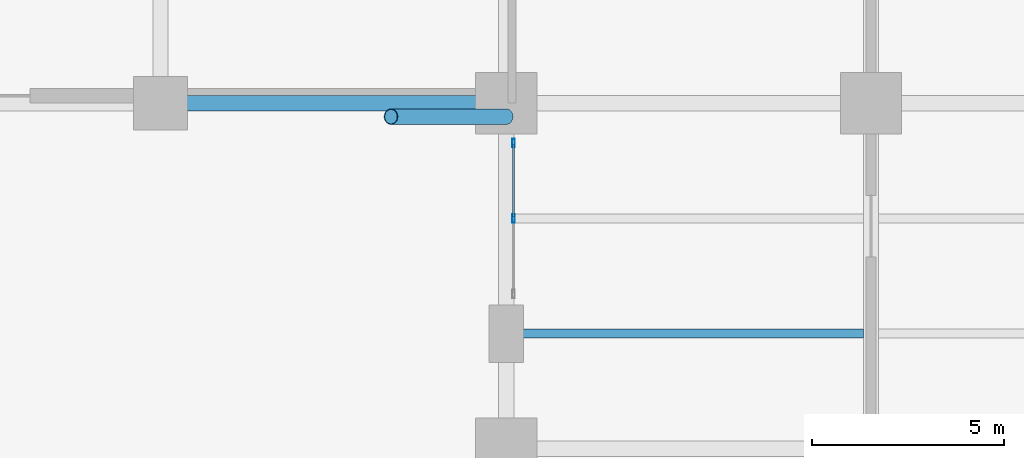
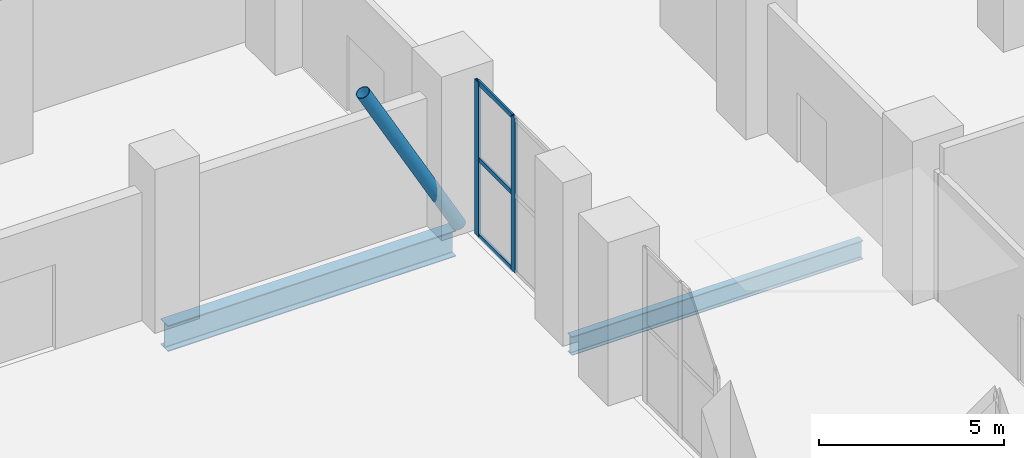
# One storey, part 4 of 17: 6 members, 2 beams, 1 element without a shape of its own.
"""IFC4 building model written with IfcOpenShell, lengths in metres."""

from ifc_helpers import new_model, si_unit, direction, frame, origin, origin_2d, place, context, subcontext, project, spatial, hollow_rectangle, hollow_circle, i_section, extrude, material, layer, layer_set, material_profile, profile_set, type_object, element, aggregate, save


model = new_model("IFC4")

# Units and contexts
model_context = context("Model", 3, precision=1e-05, world=origin(), true_north=direction((0.0, 1.0)))
body_context = subcontext(model_context, "Body", "Model", "MODEL_VIEW")
ifc_project = project(units=[si_unit("LENGTHUNIT", "METRE"), si_unit("AREAUNIT", "SQUARE_METRE"), si_unit("VOLUMEUNIT", "CUBIC_METRE"), si_unit("PLANEANGLEUNIT", "RADIAN"), si_unit("MASSUNIT", "GRAM", prefix="KILO")], contexts=[model_context])

# Site, building, storey
site_placement = place(None, origin())
site = spatial("IfcSite", under=ifc_project, at=site_placement, CompositionType="ELEMENT")
building_placement = place(site_placement, origin())
building = spatial("IfcBuilding", under=site, at=building_placement, Name="Mawjdan Bourse Tower", CompositionType="ELEMENT")
storey_placement = place(building_placement, origin())
storey = spatial("IfcBuildingStorey", under=building, at=storey_placement, Name="L00", CompositionType="ELEMENT", Elevation=0.0)

# Member
ifc_material_1 = material(Name="Structural Steel S460", Category="steel")
ifc_material_profile_1 = material_profile(ifc_material_1, hollow_circle(Radius=0.203125, WallThickness=0.01611328125, at=origin_2d()), Name="CHS406X16")
ifc_profile_set_1 = profile_set([ifc_material_profile_1], Name="Structural Steel S460")
member_type_1 = type_object("IfcMemberType", Name="ARC-CHS406X16", PredefinedType="USERDEFINED", material=ifc_profile_set_1)
member_1_placement = place(storey_placement, frame((51.0, 29.64990234375, 0.0), z_axis=(-0.485649642493, 0.0, 0.87415354758), x_axis=(0.0, -1.0, 0.0)))
element("IfcMember", 1, at=member_1_placement, inside=storey, type_object=member_type_1, Name="L00 Giant Arch Structural Rib NORTH 2", ObjectType="ARCH RIB", PredefinedType="USERDEFINED", context=body_context, shape_type="SweptSolid", body=[
    extrude(hollow_circle(Radius=0.203125, WallThickness=0.01611328125, at=origin_2d()), origin(), (0.0, 0.0, 1.0), 6.17724609375),
])

# Beams
ifc_material_2 = material(Name="Structural Steel S355", Category="steel")
ifc_material_profile_2 = material_profile(ifc_material_2, i_section(OverallWidth=0.39892578125, OverallDepth=0.85595703125, WebThickness=0.018310546875, FlangeThickness=0.029296875, FilletRadius=0.0234375, at=origin_2d()), Name="W33X201")
ifc_profile_set_2 = profile_set([ifc_material_profile_2], Name="Structural Steel S355")
beam_type_1 = type_object("IfcBeamType", Name="GRD-W33X201", PredefinedType="BEAM", material=ifc_profile_set_2)
beam_1_placement = place(storey_placement, frame((42.0, 30.0, -0.72802734375), z_axis=(1.0, 0.0, 0.0), x_axis=(0.0, 1.0, 0.0)))
element("IfcBeam", 2, at=beam_1_placement, inside=storey, type_object=beam_type_1, Name="L00 Podium Tie Girder 061", PredefinedType="BEAM", context=body_context, shape_type="SweptSolid", body=[
    extrude(i_section(OverallWidth=0.39892578125, OverallDepth=0.85595703125, WebThickness=0.018310546875, FlangeThickness=0.029296875, FilletRadius=0.0234375, at=origin_2d()), origin(), (0.0, 0.0, 1.0), 9.0),
])
ifc_material_profile_3 = material_profile(ifc_material_2, i_section(OverallWidth=0.22998046875, OverallDepth=0.616943359375, WebThickness=0.01318359375, FlangeThickness=0.022216796875, FilletRadius=0.017822265625, at=origin_2d()), Name="W24X94")
ifc_profile_set_3 = profile_set([ifc_material_profile_3], Name="Structural Steel S355")
beam_type_2 = type_object("IfcBeamType", Name="JST-W24X94", PredefinedType="JOIST", material=ifc_profile_set_3)
beam_2_placement = place(storey_placement, frame((51.197509765625, 24.0, -0.6083984375), z_axis=(1.0, 0.0, 0.0), x_axis=(0.0, 1.0, 0.0)))
element("IfcBeam", 3, at=beam_2_placement, inside=storey, type_object=beam_type_2, Name="L00 Composite Floor Joist 095", PredefinedType="JOIST", context=body_context, shape_type="SweptSolid", body=[
    extrude(i_section(OverallWidth=0.22998046875, OverallDepth=0.616943359375, WebThickness=0.01318359375, FlangeThickness=0.022216796875, FilletRadius=0.017822265625, at=origin_2d()), origin(), (0.0, 0.0, 1.0), 9.10498046875),
])

# Curtain wall, members
ifc_material_3 = material(Name="Thermally Broken Aluminium and Solar Glass", Category="aluminium")
ifc_layer = layer(ifc_material_3, 0.219970703125)
ifc_layer_set = layer_set([ifc_layer], Name="Thermally Broken Aluminium and Solar Glass")
curtain_wall_type = type_object("IfcCurtainWallType", Name="CW-ARCH", PredefinedType="USERDEFINED", material=ifc_layer_set)
curtain_wall_placement = place(storey_placement, origin())
curtain_wall = element("IfcCurtainWall", 4, at=curtain_wall_placement, inside=storey, type_object=curtain_wall_type, Name="L00 Giant Arch East Glazed Wall North", ObjectType="ARCHWAY GLAZED CURTAIN WALL", PredefinedType="USERDEFINED")
ifc_material_4 = material(Name="Thermally Broken Anodised Aluminium", Category="aluminium")
ifc_material_profile_4 = material_profile(ifc_material_4, hollow_rectangle(XDim=0.074951171875, YDim=0.219970703125, WallThickness=0.0048828125, at=origin_2d()), Name="ALU-MUL-220X75")
ifc_profile_set_4 = profile_set([ifc_material_profile_4], Name="Thermally Broken Anodised Aluminium")
member_type_2 = type_object("IfcMemberType", Name="MUL-ALU-MUL-220X75", PredefinedType="MULLION", material=ifc_profile_set_4)
member_2_placement = place(storey_placement, frame((51.18994140625, 27.0, 0.0), z_axis=(0.0, 0.0, 1.0), x_axis=(-1.0, 0.0, 0.0)))
member_2 = element("IfcMember", 5, at=member_2_placement, type_object=member_type_2, Name="CW-ARCH-L00-ARCH-E2 mullion 2", PredefinedType="MULLION", context=body_context, shape_type="SweptSolid", body=[
    extrude(hollow_rectangle(XDim=0.074951171875, YDim=0.219970703125, WallThickness=0.0048828125, at=origin_2d()), origin(), (0.0, 0.0, 1.0), 5.10009765625),
])
member_3_placement = place(storey_placement, frame((51.18994140625, 28.96240234375, 0.0), z_axis=(0.0, 0.0, 1.0), x_axis=(-1.0, 0.0, 0.0)))
member_3 = element("IfcMember", 6, at=member_3_placement, type_object=member_type_2, Name="CW-ARCH-L00-ARCH-E2 mullion 3", PredefinedType="MULLION", context=body_context, shape_type="SweptSolid", body=[
    extrude(hollow_rectangle(XDim=0.074951171875, YDim=0.219970703125, WallThickness=0.0048828125, at=origin_2d()), origin(), (0.0, 0.0, 1.0), 5.10009765625),
])
ifc_material_profile_5 = material_profile(ifc_material_4, hollow_rectangle(XDim=0.06005859375, YDim=0.155029296875, WallThickness=0.00390625, at=origin_2d()), Name="ALU-TRN-155X60")
ifc_profile_set_5 = profile_set([ifc_material_profile_5], Name="Thermally Broken Anodised Aluminium")
member_type_3 = type_object("IfcMemberType", Name="TRN-ALU-TRN-155X60", PredefinedType="USERDEFINED", material=ifc_profile_set_5)
member_4_placement = place(storey_placement, frame((51.18994140625, 27.03759765625, 0.030029296875), z_axis=(0.0, 1.0, 0.0), x_axis=(-1.0, 0.0, 0.0)))
member_4 = element("IfcMember", 7, at=member_4_placement, type_object=member_type_3, Name="CW-ARCH-L00-ARCH-E2 transom 2.1", ObjectType="TRANSOM", PredefinedType="USERDEFINED", context=body_context, shape_type="SweptSolid", body=[
    extrude(hollow_rectangle(XDim=0.06005859375, YDim=0.155029296875, WallThickness=0.00390625, at=origin_2d()), origin(), (0.0, 0.0, 1.0), 1.887451171875),
])
member_5_placement = place(storey_placement, frame((51.18994140625, 27.03759765625, 2.550048828125), z_axis=(0.0, 1.0, 0.0), x_axis=(-1.0, 0.0, 0.0)))
member_5 = element("IfcMember", 8, at=member_5_placement, type_object=member_type_3, Name="CW-ARCH-L00-ARCH-E2 transom 2.2", ObjectType="TRANSOM", PredefinedType="USERDEFINED", context=body_context, shape_type="SweptSolid", body=[
    extrude(hollow_rectangle(XDim=0.06005859375, YDim=0.155029296875, WallThickness=0.00390625, at=origin_2d()), origin(), (0.0, 0.0, 1.0), 1.887451171875),
])
member_6_placement = place(storey_placement, frame((51.18994140625, 27.03759765625, 5.070068359375), z_axis=(0.0, 1.0, 0.0), x_axis=(-1.0, 0.0, 0.0)))
member_6 = element("IfcMember", 9, at=member_6_placement, type_object=member_type_3, Name="CW-ARCH-L00-ARCH-E2 transom 2.3", ObjectType="TRANSOM", PredefinedType="USERDEFINED", context=body_context, shape_type="SweptSolid", body=[
    extrude(hollow_rectangle(XDim=0.06005859375, YDim=0.155029296875, WallThickness=0.00390625, at=origin_2d()), origin(), (0.0, 0.0, 1.0), 1.887451171875),
])
aggregate(curtain_wall, [member_2, member_3, member_4, member_5, member_6])

save(model, "model.ifc")
